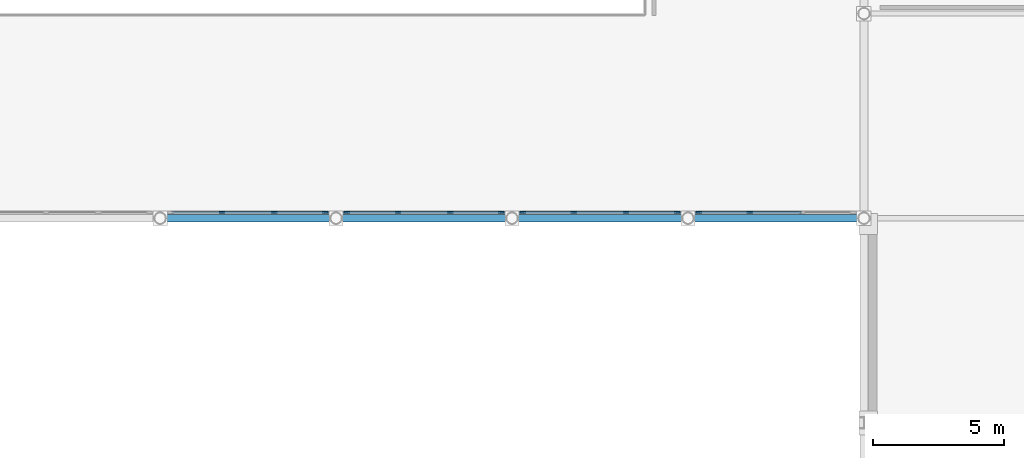
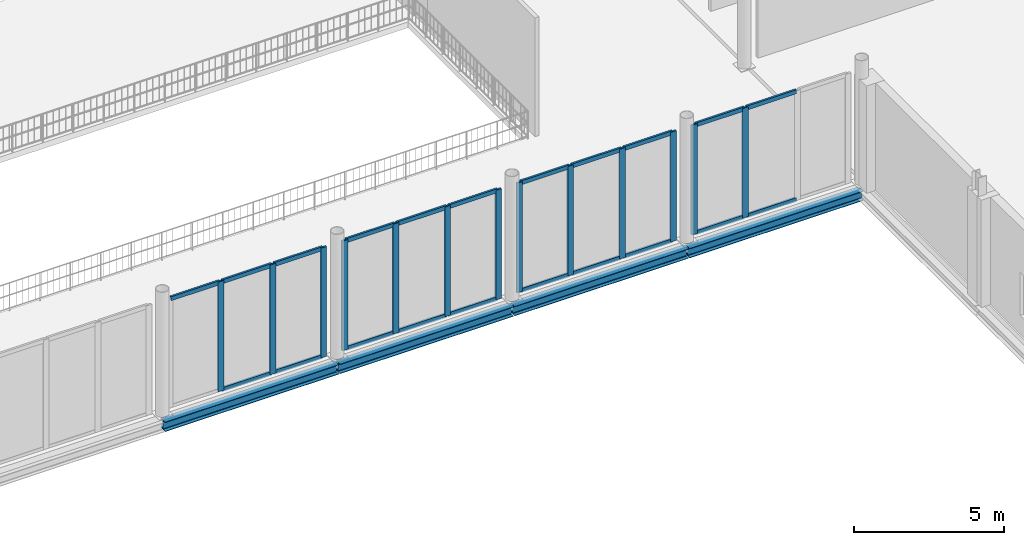
# One storey, part 34 of 105: 34 members, 4 beams, 4 elements without a shape of their own.
"""IFC4 building model written with IfcOpenShell, lengths in metres."""

import ifcopenshell
import ifcopenshell.guid

model = None  # the IFC model being written
_history = None  # IfcOwnerHistory: only IFC2X3 demands one
_inside = {}  # id of a spatial element -> (the spatial element, [elements in it])
_under = {}  # id of a project, library or spatial element -> (it, [spatial elements below it])
_declared = {}  # id of a project -> (the project, [libraries it declares])
_typed = {}  # id of a type object -> (the type object, [elements of that type])
_made_of = {}  # id of a material, layer set ... -> (it, [elements and type objects made of it])


def new_model(schema):
    """Start an empty IFC model of exactly this schema.

    Asked for "IFC4X3", IfcOpenShell would pick the latest addendum, in which some entities
    have other attributes; the version numbers below select the first issue.
    IFC2X3 requires an IfcOwnerHistory on every rooted entity: one is made here for all.
    """
    global model, _history
    if schema == "IFC4X3":
        model = ifcopenshell.file(schema_version=(4, 3, 0, 0))
    else:
        model = ifcopenshell.file(schema=schema)
    _inside.clear()
    _under.clear()
    _declared.clear()
    _typed.clear()
    _made_of.clear()
    _history = None
    if model.schema == "IFC2X3":
        org = make("IfcOrganization", Name="unknown")
        user = make(
            "IfcPersonAndOrganization",
            ThePerson=make("IfcPerson", FamilyName="unknown"),
            TheOrganization=org,
        )
        app = make(
            "IfcApplication",
            ApplicationDeveloper=org,
            Version="unknown",
            ApplicationFullName="unknown",
            ApplicationIdentifier="unknown",
        )
        _history = make(
            "IfcOwnerHistory",
            OwningUser=user,
            OwningApplication=app,
            ChangeAction="ADDED",
            CreationDate=0,
        )
    return model


def make(cls, **values):
    """One entity of the class cls with the attributes given. An attribute that is None is left unset."""
    return model.create_entity(
        cls, **{name: value for name, value in values.items() if value is not None}
    )


def rooted(cls, **values):
    """An entity with a GlobalId (a new one), such as an element, a storey or a relation."""
    return make(cls, GlobalId=ifcopenshell.guid.new(), OwnerHistory=_history, **values)


def si_unit(unit_type, name, prefix=None):
    """IfcSIUnit, for example si_unit("LENGTHUNIT", "METRE", prefix="MILLI")."""
    return make("IfcSIUnit", UnitType=unit_type, Prefix=prefix, Name=name)


def assignment(units):
    """IfcUnitAssignment: the units of a project."""
    return None if units is None else make("IfcUnitAssignment", Units=units)


def point(xyz):
    """IfcCartesianPoint."""
    return None if xyz is None else make("IfcCartesianPoint", Coordinates=xyz)


def direction(xyz):
    """IfcDirection."""
    return None if xyz is None else make("IfcDirection", DirectionRatios=xyz)


def frame(location, z_axis=None, x_axis=None):
    """IfcAxis2Placement3D, a coordinate frame: its origin and axes. An axis left out is left unset."""
    return make(
        "IfcAxis2Placement3D",
        Location=point(location),
        Axis=direction(z_axis),
        RefDirection=direction(x_axis),
    )


def frame_2d(location, x_axis=None):
    """IfcAxis2Placement2D, a coordinate frame in the plane: its origin and x axis."""
    return make(
        "IfcAxis2Placement2D", Location=point(location), RefDirection=direction(x_axis)
    )


def origin():
    """The frame at (0, 0, 0) with its axes left unset."""
    return frame((0.0, 0.0, 0.0))


def origin_2d():
    """The frame at (0, 0) in the plane with its x axis left unset."""
    return frame_2d((0.0, 0.0))


def place(relative_to, where):
    """IfcLocalPlacement: puts the frame where relative to a parent placement (None: the world)."""
    return make(
        "IfcLocalPlacement", PlacementRelTo=relative_to, RelativePlacement=where
    )


def context(
    kind, dimensions, precision=None, world=None, true_north=None, identifier=None
):
    """IfcGeometricRepresentationContext, for example the 3D "Model" context."""
    return make(
        "IfcGeometricRepresentationContext",
        ContextIdentifier=identifier,
        ContextType=kind,
        CoordinateSpaceDimension=dimensions,
        Precision=precision,
        WorldCoordinateSystem=world,
        TrueNorth=true_north,
    )


def subcontext(parent, identifier, kind, view, scale=None):
    """IfcGeometricRepresentationSubContext, for example "Body" below "Model"."""
    return make(
        "IfcGeometricRepresentationSubContext",
        ContextIdentifier=identifier,
        ContextType=kind,
        ParentContext=parent,
        TargetScale=scale,
        TargetView=view,
    )


def project(units=None, contexts=None):
    """IfcProject with its units and contexts."""
    return rooted(
        "IfcProject",
        Name="project",
        RepresentationContexts=contexts,
        UnitsInContext=assignment(units),
    )


def spatial(cls, under=None, at=None, **own):
    """A site, building, storey or space (cls), placed at a placement, below another one or the project."""
    s = rooted(cls, ObjectPlacement=at, **own)
    if under is not None:
        _under.setdefault(under.id(), (under, []))[1].append(s)
    return s


def profile(cls, at=None, kind="AREA", **sizes):
    """A parametric profile (cls). Its sizes go by their IFC names, for example OverallWidth=200.0."""
    return make(cls, ProfileType=kind, Position=at, **sizes)


def rectangle(**sizes):
    """IfcRectangleProfileDef."""
    return profile("IfcRectangleProfileDef", **sizes)


def i_section(**sizes):
    """IfcIShapeProfileDef."""
    return profile("IfcIShapeProfileDef", **sizes)


def extrude(swept, where, along, depth):
    """IfcExtrudedAreaSolid: the profile swept, set in the frame where, extruded along a direction by depth."""
    return make(
        "IfcExtrudedAreaSolid",
        SweptArea=swept,
        Position=where,
        ExtrudedDirection=direction(along),
        Depth=depth,
    )


def shape(context_of_items, identifier, shape_type, items):
    """IfcShapeRepresentation: the items that make up one representation, for example the "Body"."""
    return make(
        "IfcShapeRepresentation",
        ContextOfItems=context_of_items,
        RepresentationIdentifier=identifier,
        RepresentationType=shape_type,
        Items=items,
    )


def material(Name=None, Category=None):
    """IfcMaterial."""
    return make("IfcMaterial", Name=Name, Category=Category)


def material_profile(
    of_material, cross_section, Name=None, Category=None, Priority=None
):
    """IfcMaterialProfile: a cross section and its material."""
    return make(
        "IfcMaterialProfile",
        Name=Name,
        Material=of_material,
        Profile=cross_section,
        Priority=Priority,
        Category=Category,
    )


def profile_set(profiles, Name=None, composite=None):
    """IfcMaterialProfileSet."""
    return make(
        "IfcMaterialProfileSet",
        Name=Name,
        MaterialProfiles=profiles,
        CompositeProfile=composite,
    )


def made_of(thing, what):
    """Note that an element or type object is made of a material, layer set ...; save() writes the relation."""
    if what is not None:
        _made_of.setdefault(what.id(), (what, []))[1].append(thing)
    return thing


def type_object(cls, material=None, **own):
    """A type object (cls), such as IfcWallType, which elements share."""
    return made_of(rooted(cls, **own), material)


def element(
    cls,
    number,
    at=None,
    inside=None,
    cuts=None,
    type_object=None,
    material=None,
    context=None,
    identifier="Body",
    shape_type=None,
    held_by="IfcProductDefinitionShape",
    body=None,
    shapes=None,
    **own,
):
    """One element of the class cls, such as IfcWall. Its Tag is "e" and its number.

    at: its placement. inside: the storey or other place that contains it. cuts: it is an
    opening in that element (IfcRelVoidsElement). A single representation is given by context,
    identifier, shape_type and body (its items); several are given by shapes. held_by: the class
    of the entity that holds the representations. save() writes the other relations.
    """
    e = rooted(cls, Tag="e%d" % number, ObjectPlacement=at, **own)
    if body is not None:
        shapes = [shape(context, identifier, shape_type, body)]
    if shapes is not None:
        e.Representation = make(held_by, Representations=shapes)
    if inside is not None:
        _inside.setdefault(inside.id(), (inside, []))[1].append(e)
    if cuts is not None:
        rooted(
            "IfcRelVoidsElement", RelatingBuildingElement=cuts, RelatedOpeningElement=e
        )
    if type_object is not None:
        _typed.setdefault(type_object.id(), (type_object, []))[1].append(e)
    return made_of(e, material)


def aggregate(whole, parts):
    """IfcRelAggregates: a whole, such as a stair, and the parts it consists of."""
    return rooted("IfcRelAggregates", RelatingObject=whole, RelatedObjects=parts)


def save(model, path):
    """Write the relations noted so far, then the file.

    IfcRelAggregates (storeys below a building ...), IfcRelContainedInSpatialStructure (elements
    in a storey), IfcRelDefinesByType, IfcRelAssociatesMaterial and IfcRelDeclares: one each for
    every whole, place, type object, material and project.
    """
    for whole, parts in _under.values():
        aggregate(whole, parts)
    for where, things in _inside.values():
        rooted(
            "IfcRelContainedInSpatialStructure",
            RelatedElements=things,
            RelatingStructure=where,
        )
    for kind, things in _typed.values():
        rooted("IfcRelDefinesByType", RelatedObjects=things, RelatingType=kind)
    for what, things in _made_of.values():
        rooted("IfcRelAssociatesMaterial", RelatedObjects=things, RelatingMaterial=what)
    for by, libraries in _declared.values():
        rooted("IfcRelDeclares", RelatingContext=by, RelatedDefinitions=libraries)
    model.write(path)


model = new_model("IFC4")

# Units and contexts
model_context = context("Model", 3, precision=1e-05, world=origin(), true_north=direction((0.0, 1.0)))
body_context = subcontext(model_context, "Body", "Model", "MODEL_VIEW")
ifc_project = project(units=[si_unit("LENGTHUNIT", "METRE"), si_unit("AREAUNIT", "SQUARE_METRE"), si_unit("VOLUMEUNIT", "CUBIC_METRE"), si_unit("PLANEANGLEUNIT", "RADIAN"), si_unit("MASSUNIT", "GRAM", prefix="KILO")], contexts=[model_context])

# Site, building, storey
site_placement = place(None, origin())
site = spatial("IfcSite", under=ifc_project, at=site_placement, CompositionType="ELEMENT")
building_placement = place(site_placement, origin())
building = spatial("IfcBuilding", under=site, at=building_placement, Name="Nabrawat Pavilion Hospital", CompositionType="ELEMENT")
storey_placement = place(building_placement, frame((0.0, 0.0, 5.10009765625)))
storey = spatial("IfcBuildingStorey", under=building, at=storey_placement, Name="L01", CompositionType="ELEMENT", Elevation=5.10009765625)

# Curtain wall, members
ifc_material_1 = material(Name="Anodised Aluminium", Category="aluminium")
curtain_wall_type = type_object("IfcCurtainWallType", Name="Main Hall Pavilion Unitised Curtain Wall", PredefinedType="USERDEFINED", material=ifc_material_1)
curtain_wall_1_placement = place(storey_placement, origin())
curtain_wall_1 = element("IfcCurtainWall", 1, at=curtain_wall_1_placement, inside=storey, type_object=curtain_wall_type, Name="L01 Main Hall Pavilion Unitised Curtain Wall 039", ObjectType="CURTAIN WALL", PredefinedType="USERDEFINED")
ifc_material_profile_1 = material_profile(ifc_material_1, rectangle(XDim=0.074951171875, YDim=0.219970703125, at=origin_2d()), Name="CWM 75x220")
ifc_profile_set_1 = profile_set([ifc_material_profile_1], Name="Anodised Aluminium")
member_type_1 = type_object("IfcMemberType", Name="Main Hall Pavilion Unitised Curtain Wall Mullion CWM 75x220", PredefinedType="MULLION", material=ifc_profile_set_1)
member_1_placement = place(storey_placement, frame((101.52685546875, 15.820068359375, 0.0), z_axis=(0.0, 0.0, 1.0), x_axis=(0.0, 1.0, 0.0)))
member_1 = element("IfcMember", 2, at=member_1_placement, type_object=member_type_1, Name="CW-MH-01 mullion 2", PredefinedType="MULLION", context=body_context, shape_type="SweptSolid", body=[
    extrude(rectangle(XDim=0.074951171875, YDim=0.219970703125, at=origin_2d()), origin(), (0.0, 0.0, 1.0), 4.449951171875),
])
member_2_placement = place(storey_placement, frame((103.51708984375, 15.820068359375, 0.0), z_axis=(0.0, 0.0, 1.0), x_axis=(0.0, 1.0, 0.0)))
member_2 = element("IfcMember", 3, at=member_2_placement, type_object=member_type_1, Name="CW-MH-01 mullion 3", PredefinedType="MULLION", context=body_context, shape_type="SweptSolid", body=[
    extrude(rectangle(XDim=0.074951171875, YDim=0.219970703125, at=origin_2d()), origin(), (0.0, 0.0, 1.0), 4.449951171875),
])
member_3_placement = place(storey_placement, frame((105.469970703125, 15.820068359375, 0.0), z_axis=(0.0, 0.0, 1.0), x_axis=(0.0, 1.0, 0.0)))
member_3 = element("IfcMember", 4, at=member_3_placement, type_object=member_type_1, Name="CW-MH-01 mullion 4", PredefinedType="MULLION", context=body_context, shape_type="SweptSolid", body=[
    extrude(rectangle(XDim=0.074951171875, YDim=0.219970703125, at=origin_2d()), origin(), (0.0, 0.0, 1.0), 4.449951171875),
])

curtain_wall_2_placement = place(storey_placement, origin())
curtain_wall_2 = element("IfcCurtainWall", 5, at=curtain_wall_2_placement, inside=storey, type_object=curtain_wall_type, Name="L01 Main Hall Pavilion Unitised Curtain Wall 040", ObjectType="CURTAIN WALL", PredefinedType="USERDEFINED")
member_4_placement = place(storey_placement, frame((106.281982421875, 15.820068359375, 0.0), z_axis=(0.0, 0.0, 1.0), x_axis=(0.0, 1.0, 0.0)))
member_4 = element("IfcMember", 6, at=member_4_placement, type_object=member_type_1, Name="CW-MH-01 mullion 1", PredefinedType="MULLION", context=body_context, shape_type="SweptSolid", body=[
    extrude(rectangle(XDim=0.074951171875, YDim=0.219970703125, at=origin_2d()), origin(), (0.0, 0.0, 1.0), 4.449951171875),
])
member_5_placement = place(storey_placement, frame((108.23486328125, 15.820068359375, 0.0), z_axis=(0.0, 0.0, 1.0), x_axis=(0.0, 1.0, 0.0)))
member_5 = element("IfcMember", 7, at=member_5_placement, type_object=member_type_1, Name="CW-MH-01 mullion 2", PredefinedType="MULLION", context=body_context, shape_type="SweptSolid", body=[
    extrude(rectangle(XDim=0.074951171875, YDim=0.219970703125, at=origin_2d()), origin(), (0.0, 0.0, 1.0), 4.449951171875),
])
member_6_placement = place(storey_placement, frame((110.22509765625, 15.820068359375, 0.0), z_axis=(0.0, 0.0, 1.0), x_axis=(0.0, 1.0, 0.0)))
member_6 = element("IfcMember", 8, at=member_6_placement, type_object=member_type_1, Name="CW-MH-01 mullion 3", PredefinedType="MULLION", context=body_context, shape_type="SweptSolid", body=[
    extrude(rectangle(XDim=0.074951171875, YDim=0.219970703125, at=origin_2d()), origin(), (0.0, 0.0, 1.0), 4.449951171875),
])
member_7_placement = place(storey_placement, frame((112.177978515625, 15.820068359375, 0.0), z_axis=(0.0, 0.0, 1.0), x_axis=(0.0, 1.0, 0.0)))
member_7 = element("IfcMember", 9, at=member_7_placement, type_object=member_type_1, Name="CW-MH-01 mullion 4", PredefinedType="MULLION", context=body_context, shape_type="SweptSolid", body=[
    extrude(rectangle(XDim=0.074951171875, YDim=0.219970703125, at=origin_2d()), origin(), (0.0, 0.0, 1.0), 4.449951171875),
])

curtain_wall_3_placement = place(storey_placement, origin())
curtain_wall_3 = element("IfcCurtainWall", 10, at=curtain_wall_3_placement, inside=storey, type_object=curtain_wall_type, Name="L01 Main Hall Pavilion Unitised Curtain Wall 041", ObjectType="CURTAIN WALL", PredefinedType="USERDEFINED")
member_8_placement = place(storey_placement, frame((112.989990234375, 15.820068359375, 0.0), z_axis=(0.0, 0.0, 1.0), x_axis=(0.0, 1.0, 0.0)))
member_8 = element("IfcMember", 11, at=member_8_placement, type_object=member_type_1, Name="CW-MH-01 mullion 1", PredefinedType="MULLION", context=body_context, shape_type="SweptSolid", body=[
    extrude(rectangle(XDim=0.074951171875, YDim=0.219970703125, at=origin_2d()), origin(), (0.0, 0.0, 1.0), 4.449951171875),
])
member_9_placement = place(storey_placement, frame((114.94287109375, 15.820068359375, 0.0), z_axis=(0.0, 0.0, 1.0), x_axis=(0.0, 1.0, 0.0)))
member_9 = element("IfcMember", 12, at=member_9_placement, type_object=member_type_1, Name="CW-MH-01 mullion 2", PredefinedType="MULLION", context=body_context, shape_type="SweptSolid", body=[
    extrude(rectangle(XDim=0.074951171875, YDim=0.219970703125, at=origin_2d()), origin(), (0.0, 0.0, 1.0), 4.449951171875),
])
member_10_placement = place(storey_placement, frame((116.93310546875, 15.820068359375, 0.0), z_axis=(0.0, 0.0, 1.0), x_axis=(0.0, 1.0, 0.0)))
member_10 = element("IfcMember", 13, at=member_10_placement, type_object=member_type_1, Name="CW-MH-01 mullion 3", PredefinedType="MULLION", context=body_context, shape_type="SweptSolid", body=[
    extrude(rectangle(XDim=0.074951171875, YDim=0.219970703125, at=origin_2d()), origin(), (0.0, 0.0, 1.0), 4.449951171875),
])
member_11_placement = place(storey_placement, frame((118.885986328125, 15.820068359375, 0.0), z_axis=(0.0, 0.0, 1.0), x_axis=(0.0, 1.0, 0.0)))
member_11 = element("IfcMember", 14, at=member_11_placement, type_object=member_type_1, Name="CW-MH-01 mullion 4", PredefinedType="MULLION", context=body_context, shape_type="SweptSolid", body=[
    extrude(rectangle(XDim=0.074951171875, YDim=0.219970703125, at=origin_2d()), origin(), (0.0, 0.0, 1.0), 4.449951171875),
])

curtain_wall_4_placement = place(storey_placement, origin())
curtain_wall_4 = element("IfcCurtainWall", 15, at=curtain_wall_4_placement, inside=storey, type_object=curtain_wall_type, Name="L01 Main Hall Pavilion Unitised Curtain Wall 042", ObjectType="CURTAIN WALL", PredefinedType="USERDEFINED")
member_12_placement = place(storey_placement, frame((119.697998046875, 15.820068359375, 0.0), z_axis=(0.0, 0.0, 1.0), x_axis=(0.0, 1.0, 0.0)))
member_12 = element("IfcMember", 16, at=member_12_placement, type_object=member_type_1, Name="CW-MH-01 mullion 1", PredefinedType="MULLION", context=body_context, shape_type="SweptSolid", body=[
    extrude(rectangle(XDim=0.074951171875, YDim=0.219970703125, at=origin_2d()), origin(), (0.0, 0.0, 1.0), 4.449951171875),
])
member_13_placement = place(storey_placement, frame((121.65087890625, 15.820068359375, 0.0), z_axis=(0.0, 0.0, 1.0), x_axis=(0.0, 1.0, 0.0)))
member_13 = element("IfcMember", 17, at=member_13_placement, type_object=member_type_1, Name="CW-MH-01 mullion 2", PredefinedType="MULLION", context=body_context, shape_type="SweptSolid", body=[
    extrude(rectangle(XDim=0.074951171875, YDim=0.219970703125, at=origin_2d()), origin(), (0.0, 0.0, 1.0), 4.449951171875),
])

# Member
ifc_material_profile_2 = material_profile(ifc_material_1, rectangle(XDim=0.074951171875, YDim=0.1650390625, at=origin_2d()), Name="CWT 75x165")
ifc_profile_set_2 = profile_set([ifc_material_profile_2], Name="Anodised Aluminium")
member_type_2 = type_object("IfcMemberType", Name="Main Hall Pavilion Unitised Curtain Wall Transom CWT 75x165", PredefinedType="USERDEFINED", material=ifc_profile_set_2)
member_14_placement = place(storey_placement, frame((99.611572265625, 15.820068359375, 4.412353515625), z_axis=(1.0, 0.0, 0.0), x_axis=(0.0, 1.0, 0.0)))
member_14 = element("IfcMember", 18, at=member_14_placement, type_object=member_type_2, Name="CW-MH-01 transom 1.2", ObjectType="TRANSOM", PredefinedType="USERDEFINED", context=body_context, shape_type="SweptSolid", body=[
    extrude(rectangle(XDim=0.074951171875, YDim=0.1650390625, at=origin_2d()), origin(), (0.0, 0.0, 1.0), 1.877685546875),
])

member_15_placement = place(storey_placement, frame((101.564453125, 15.820068359375, 0.037353515625), z_axis=(1.0, 0.0, 0.0), x_axis=(0.0, 1.0, 0.0)))
member_15 = element("IfcMember", 19, at=member_15_placement, type_object=member_type_2, Name="CW-MH-01 transom 2.1", ObjectType="TRANSOM", PredefinedType="USERDEFINED", context=body_context, shape_type="SweptSolid", body=[
    extrude(rectangle(XDim=0.074951171875, YDim=0.1650390625, at=origin_2d()), origin(), (0.0, 0.0, 1.0), 1.915283203125),
])

member_16_placement = place(storey_placement, frame((101.564453125, 15.820068359375, 4.412353515625), z_axis=(1.0, 0.0, 0.0), x_axis=(0.0, 1.0, 0.0)))
member_16 = element("IfcMember", 20, at=member_16_placement, type_object=member_type_2, Name="CW-MH-01 transom 2.2", ObjectType="TRANSOM", PredefinedType="USERDEFINED", context=body_context, shape_type="SweptSolid", body=[
    extrude(rectangle(XDim=0.074951171875, YDim=0.1650390625, at=origin_2d()), origin(), (0.0, 0.0, 1.0), 1.915283203125),
])

member_17_placement = place(storey_placement, frame((103.5546875, 15.820068359375, 0.037353515625), z_axis=(1.0, 0.0, 0.0), x_axis=(0.0, 1.0, 0.0)))
member_17 = element("IfcMember", 21, at=member_17_placement, type_object=member_type_2, Name="CW-MH-01 transom 3.1", ObjectType="TRANSOM", PredefinedType="USERDEFINED", context=body_context, shape_type="SweptSolid", body=[
    extrude(rectangle(XDim=0.074951171875, YDim=0.1650390625, at=origin_2d()), origin(), (0.0, 0.0, 1.0), 1.8779296875),
])

member_18_placement = place(storey_placement, frame((103.5546875, 15.820068359375, 4.412353515625), z_axis=(1.0, 0.0, 0.0), x_axis=(0.0, 1.0, 0.0)))
member_18 = element("IfcMember", 22, at=member_18_placement, type_object=member_type_2, Name="CW-MH-01 transom 3.2", ObjectType="TRANSOM", PredefinedType="USERDEFINED", context=body_context, shape_type="SweptSolid", body=[
    extrude(rectangle(XDim=0.074951171875, YDim=0.1650390625, at=origin_2d()), origin(), (0.0, 0.0, 1.0), 1.8779296875),
])

aggregate(curtain_wall_1, [member_1, member_2, member_3, member_14, member_15, member_16, member_17, member_18])

member_19_placement = place(storey_placement, frame((106.319580078125, 15.820068359375, 0.037353515625), z_axis=(1.0, 0.0, 0.0), x_axis=(0.0, 1.0, 0.0)))
member_19 = element("IfcMember", 23, at=member_19_placement, type_object=member_type_2, Name="CW-MH-01 transom 1.1", ObjectType="TRANSOM", PredefinedType="USERDEFINED", context=body_context, shape_type="SweptSolid", body=[
    extrude(rectangle(XDim=0.074951171875, YDim=0.1650390625, at=origin_2d()), origin(), (0.0, 0.0, 1.0), 1.877685546875),
])

member_20_placement = place(storey_placement, frame((106.319580078125, 15.820068359375, 4.412353515625), z_axis=(1.0, 0.0, 0.0), x_axis=(0.0, 1.0, 0.0)))
member_20 = element("IfcMember", 24, at=member_20_placement, type_object=member_type_2, Name="CW-MH-01 transom 1.2", ObjectType="TRANSOM", PredefinedType="USERDEFINED", context=body_context, shape_type="SweptSolid", body=[
    extrude(rectangle(XDim=0.074951171875, YDim=0.1650390625, at=origin_2d()), origin(), (0.0, 0.0, 1.0), 1.877685546875),
])

member_21_placement = place(storey_placement, frame((108.272216796875, 15.820068359375, 0.037353515625), z_axis=(1.0, 0.0, 0.0), x_axis=(0.0, 1.0, 0.0)))
member_21 = element("IfcMember", 25, at=member_21_placement, type_object=member_type_2, Name="CW-MH-01 transom 2.1", ObjectType="TRANSOM", PredefinedType="USERDEFINED", context=body_context, shape_type="SweptSolid", body=[
    extrude(rectangle(XDim=0.074951171875, YDim=0.1650390625, at=origin_2d()), origin(), (0.0, 0.0, 1.0), 1.91552734375),
])

member_22_placement = place(storey_placement, frame((108.272216796875, 15.820068359375, 4.412353515625), z_axis=(1.0, 0.0, 0.0), x_axis=(0.0, 1.0, 0.0)))
member_22 = element("IfcMember", 26, at=member_22_placement, type_object=member_type_2, Name="CW-MH-01 transom 2.2", ObjectType="TRANSOM", PredefinedType="USERDEFINED", context=body_context, shape_type="SweptSolid", body=[
    extrude(rectangle(XDim=0.074951171875, YDim=0.1650390625, at=origin_2d()), origin(), (0.0, 0.0, 1.0), 1.91552734375),
])

member_23_placement = place(storey_placement, frame((110.2626953125, 15.820068359375, 0.037353515625), z_axis=(1.0, 0.0, 0.0), x_axis=(0.0, 1.0, 0.0)))
member_23 = element("IfcMember", 27, at=member_23_placement, type_object=member_type_2, Name="CW-MH-01 transom 3.1", ObjectType="TRANSOM", PredefinedType="USERDEFINED", context=body_context, shape_type="SweptSolid", body=[
    extrude(rectangle(XDim=0.074951171875, YDim=0.1650390625, at=origin_2d()), origin(), (0.0, 0.0, 1.0), 1.877685546875),
])

member_24_placement = place(storey_placement, frame((110.2626953125, 15.820068359375, 4.412353515625), z_axis=(1.0, 0.0, 0.0), x_axis=(0.0, 1.0, 0.0)))
member_24 = element("IfcMember", 28, at=member_24_placement, type_object=member_type_2, Name="CW-MH-01 transom 3.2", ObjectType="TRANSOM", PredefinedType="USERDEFINED", context=body_context, shape_type="SweptSolid", body=[
    extrude(rectangle(XDim=0.074951171875, YDim=0.1650390625, at=origin_2d()), origin(), (0.0, 0.0, 1.0), 1.877685546875),
])

aggregate(curtain_wall_2, [member_4, member_5, member_6, member_7, member_19, member_20, member_21, member_22, member_23, member_24])

member_25_placement = place(storey_placement, frame((113.027587890625, 15.820068359375, 0.037353515625), z_axis=(1.0, 0.0, 0.0), x_axis=(0.0, 1.0, 0.0)))
member_25 = element("IfcMember", 29, at=member_25_placement, type_object=member_type_2, Name="CW-MH-01 transom 1.1", ObjectType="TRANSOM", PredefinedType="USERDEFINED", context=body_context, shape_type="SweptSolid", body=[
    extrude(rectangle(XDim=0.074951171875, YDim=0.1650390625, at=origin_2d()), origin(), (0.0, 0.0, 1.0), 1.877685546875),
])

member_26_placement = place(storey_placement, frame((113.027587890625, 15.820068359375, 4.412353515625), z_axis=(1.0, 0.0, 0.0), x_axis=(0.0, 1.0, 0.0)))
member_26 = element("IfcMember", 30, at=member_26_placement, type_object=member_type_2, Name="CW-MH-01 transom 1.2", ObjectType="TRANSOM", PredefinedType="USERDEFINED", context=body_context, shape_type="SweptSolid", body=[
    extrude(rectangle(XDim=0.074951171875, YDim=0.1650390625, at=origin_2d()), origin(), (0.0, 0.0, 1.0), 1.877685546875),
])

member_27_placement = place(storey_placement, frame((114.980224609375, 15.820068359375, 0.037353515625), z_axis=(1.0, 0.0, 0.0), x_axis=(0.0, 1.0, 0.0)))
member_27 = element("IfcMember", 31, at=member_27_placement, type_object=member_type_2, Name="CW-MH-01 transom 2.1", ObjectType="TRANSOM", PredefinedType="USERDEFINED", context=body_context, shape_type="SweptSolid", body=[
    extrude(rectangle(XDim=0.074951171875, YDim=0.1650390625, at=origin_2d()), origin(), (0.0, 0.0, 1.0), 1.91552734375),
])

member_28_placement = place(storey_placement, frame((114.980224609375, 15.820068359375, 4.412353515625), z_axis=(1.0, 0.0, 0.0), x_axis=(0.0, 1.0, 0.0)))
member_28 = element("IfcMember", 32, at=member_28_placement, type_object=member_type_2, Name="CW-MH-01 transom 2.2", ObjectType="TRANSOM", PredefinedType="USERDEFINED", context=body_context, shape_type="SweptSolid", body=[
    extrude(rectangle(XDim=0.074951171875, YDim=0.1650390625, at=origin_2d()), origin(), (0.0, 0.0, 1.0), 1.91552734375),
])

member_29_placement = place(storey_placement, frame((116.970703125, 15.820068359375, 0.037353515625), z_axis=(1.0, 0.0, 0.0), x_axis=(0.0, 1.0, 0.0)))
member_29 = element("IfcMember", 33, at=member_29_placement, type_object=member_type_2, Name="CW-MH-01 transom 3.1", ObjectType="TRANSOM", PredefinedType="USERDEFINED", context=body_context, shape_type="SweptSolid", body=[
    extrude(rectangle(XDim=0.074951171875, YDim=0.1650390625, at=origin_2d()), origin(), (0.0, 0.0, 1.0), 1.877685546875),
])

member_30_placement = place(storey_placement, frame((116.970703125, 15.820068359375, 4.412353515625), z_axis=(1.0, 0.0, 0.0), x_axis=(0.0, 1.0, 0.0)))
member_30 = element("IfcMember", 34, at=member_30_placement, type_object=member_type_2, Name="CW-MH-01 transom 3.2", ObjectType="TRANSOM", PredefinedType="USERDEFINED", context=body_context, shape_type="SweptSolid", body=[
    extrude(rectangle(XDim=0.074951171875, YDim=0.1650390625, at=origin_2d()), origin(), (0.0, 0.0, 1.0), 1.877685546875),
])

aggregate(curtain_wall_3, [member_8, member_9, member_10, member_11, member_25, member_26, member_27, member_28, member_29, member_30])

member_31_placement = place(storey_placement, frame((119.735595703125, 15.820068359375, 0.037353515625), z_axis=(1.0, 0.0, 0.0), x_axis=(0.0, 1.0, 0.0)))
member_31 = element("IfcMember", 35, at=member_31_placement, type_object=member_type_2, Name="CW-MH-01 transom 1.1", ObjectType="TRANSOM", PredefinedType="USERDEFINED", context=body_context, shape_type="SweptSolid", body=[
    extrude(rectangle(XDim=0.074951171875, YDim=0.1650390625, at=origin_2d()), origin(), (0.0, 0.0, 1.0), 1.877685546875),
])

member_32_placement = place(storey_placement, frame((119.735595703125, 15.820068359375, 4.412353515625), z_axis=(1.0, 0.0, 0.0), x_axis=(0.0, 1.0, 0.0)))
member_32 = element("IfcMember", 36, at=member_32_placement, type_object=member_type_2, Name="CW-MH-01 transom 1.2", ObjectType="TRANSOM", PredefinedType="USERDEFINED", context=body_context, shape_type="SweptSolid", body=[
    extrude(rectangle(XDim=0.074951171875, YDim=0.1650390625, at=origin_2d()), origin(), (0.0, 0.0, 1.0), 1.877685546875),
])

member_33_placement = place(storey_placement, frame((121.688232421875, 15.820068359375, 0.037353515625), z_axis=(1.0, 0.0, 0.0), x_axis=(0.0, 1.0, 0.0)))
member_33 = element("IfcMember", 37, at=member_33_placement, type_object=member_type_2, Name="CW-MH-01 transom 2.1", ObjectType="TRANSOM", PredefinedType="USERDEFINED", context=body_context, shape_type="SweptSolid", body=[
    extrude(rectangle(XDim=0.074951171875, YDim=0.1650390625, at=origin_2d()), origin(), (0.0, 0.0, 1.0), 1.91552734375),
])

member_34_placement = place(storey_placement, frame((121.688232421875, 15.820068359375, 4.412353515625), z_axis=(1.0, 0.0, 0.0), x_axis=(0.0, 1.0, 0.0)))
member_34 = element("IfcMember", 38, at=member_34_placement, type_object=member_type_2, Name="CW-MH-01 transom 2.2", ObjectType="TRANSOM", PredefinedType="USERDEFINED", context=body_context, shape_type="SweptSolid", body=[
    extrude(rectangle(XDim=0.074951171875, YDim=0.1650390625, at=origin_2d()), origin(), (0.0, 0.0, 1.0), 1.91552734375),
])

aggregate(curtain_wall_4, [member_12, member_13, member_31, member_32, member_33, member_34])

# Beams
ifc_material_2 = material(Name="Steel S355", Category="steel")
ifc_material_profile_3 = material_profile(ifc_material_2, i_section(OverallWidth=0.300048828125, OverallDepth=0.389892578125, WebThickness=0.010986328125, FlangeThickness=0.01904296875, FilletRadius=0.027099609375, at=origin_2d()), Name="HEA 400")
ifc_profile_set_3 = profile_set([ifc_material_profile_3], Name="Steel S355")
beam_type = type_object("IfcBeamType", Name="Perimeter Moment Spandrel Beam HEA 400", PredefinedType="SPANDREL", material=ifc_profile_set_3)
for number, where, z_axis, x_axis, name in (
    (39, (99.18798828125, 15.60009765625, -0.43505859375), (1.0, 0.0, 0.0), (0.0, 1.0, 0.0), "L01 Primary X Girder 481"),
    (40, (105.89599609375, 15.60009765625, -0.43505859375), (1.0, 0.0, 0.0), (0.0, 1.0, 0.0), "L01 Primary X Girder 482"),
    (41, (112.60400390625, 15.60009765625, -0.43505859375), (1.0, 0.0, 0.0), (0.0, 1.0, 0.0), "L01 Primary X Girder 483"),
    (42, (119.31201171875, 15.60009765625, -0.43505859375), (1.0, 0.0, 0.0), (0.0, 1.0, 0.0), "L01 Primary X Girder 484"),
):
    element("IfcBeam", number, at=place(storey_placement, frame(where, z_axis=z_axis, x_axis=x_axis)), inside=storey, type_object=beam_type, Name=name, PredefinedType="SPANDREL", context=body_context, shape_type="SweptSolid", body=[
        extrude(i_section(OverallWidth=0.300048828125, OverallDepth=0.389892578125, WebThickness=0.010986328125, FlangeThickness=0.01904296875, FilletRadius=0.027099609375, at=origin_2d()), origin(), (0.0, 0.0, 1.0), 6.66796875),
    ])

save(model, "model.ifc")
